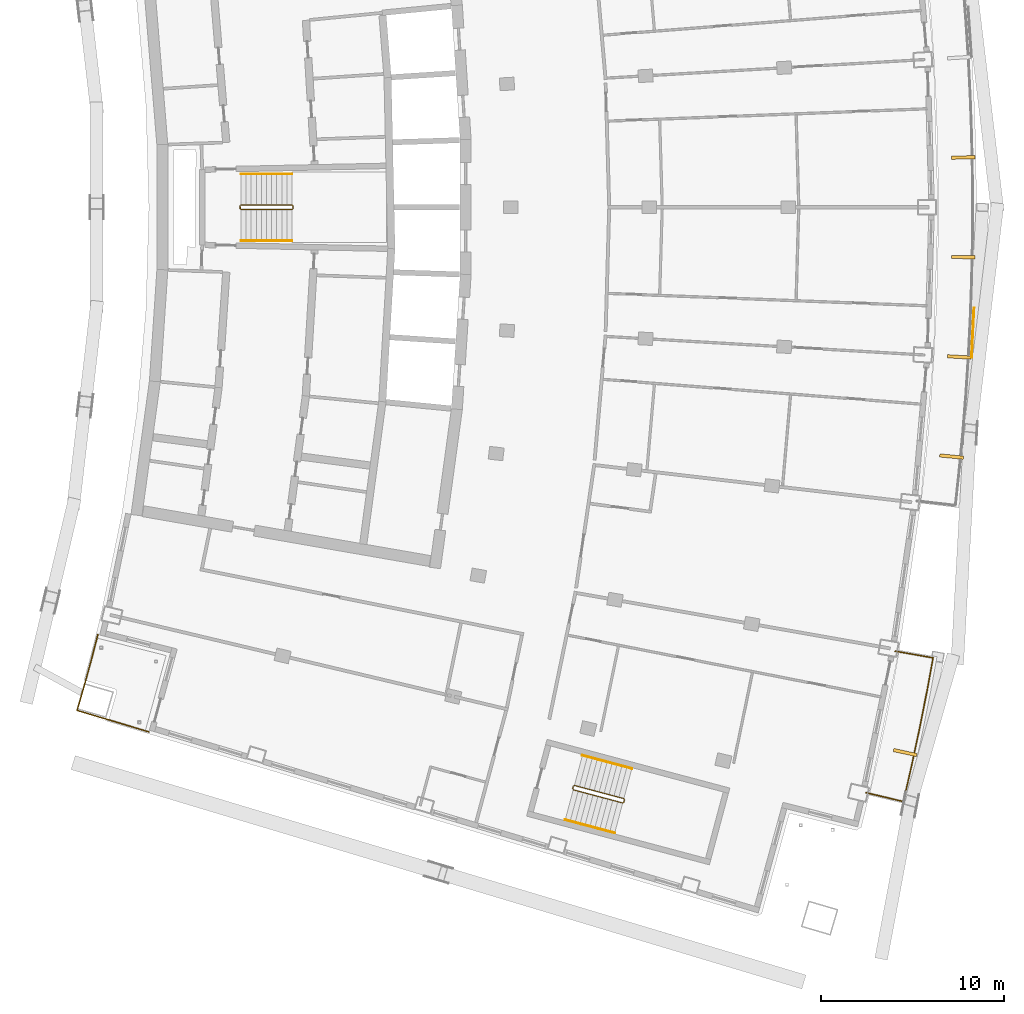
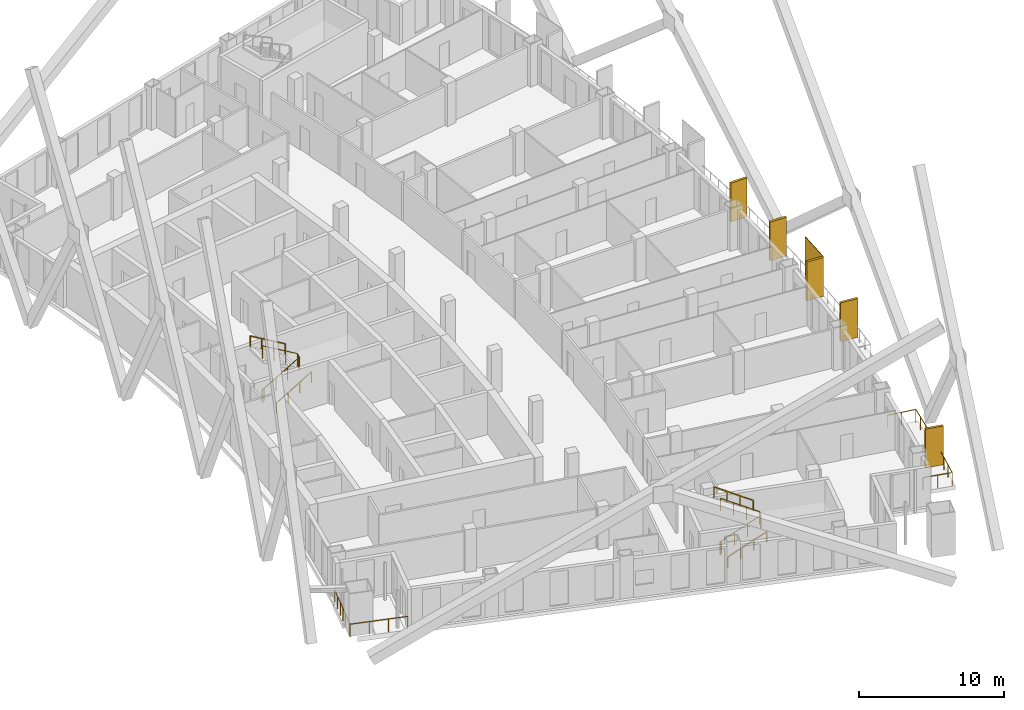
# One storey, part 18 of 20: 8 railings, 6 shading devices.
"""IFC4 building model written with IfcOpenShell, lengths in metres."""

from ifc_helpers import new_model, si_unit, direction, frame, origin, origin_with_axes, origin_2d, place, context, subcontext, project, spatial, rectangle, extrude, material, layer, layer_set, type_object, element, save


model = new_model("IFC4")

# Units and contexts
model_context = context("Model", 3, precision=1e-05, world=origin(), true_north=direction((0.0, 1.0)))
body_context = subcontext(model_context, "Body", "Model", "MODEL_VIEW")
ifc_project = project(units=[si_unit("LENGTHUNIT", "METRE"), si_unit("AREAUNIT", "SQUARE_METRE"), si_unit("VOLUMEUNIT", "CUBIC_METRE"), si_unit("PLANEANGLEUNIT", "RADIAN"), si_unit("MASSUNIT", "GRAM", prefix="KILO")], contexts=[model_context])

# Site, building, storey
site_placement = place(None, origin())
site = spatial("IfcSite", under=ifc_project, at=site_placement, CompositionType="ELEMENT")
building_placement = place(site_placement, origin())
building = spatial("IfcBuilding", under=site, at=building_placement, Name="Alderwake Tower", CompositionType="ELEMENT")
storey_placement = place(building_placement, frame((0.0, 0.0, 189.199951171875)))
storey = spatial("IfcBuildingStorey", under=building, at=storey_placement, Name="L46", CompositionType="ELEMENT", Elevation=189.199951171875)

# Railings
ifc_material_1 = material(Name="Stainless steel 316 rail and posts", Category="steel")
railing_type_1 = type_object("IfcRailingType", Name="Balcony guard 1100", PredefinedType="GUARDRAIL", material=ifc_material_1)
railing_1_placement = place(storey_placement, frame((55.256103515625, 28.9560546875, 0.0)))
element("IfcRailing", 1, at=railing_1_placement, inside=storey, type_object=railing_type_1, Name="Guard BF03", PredefinedType="GUARDRAIL", context=body_context, shape_type="SweptSolid", body=[
    extrude(rectangle(XDim=0.048095703125, YDim=0.048095703125, at=origin_2d()), frame((0.0, 0.0, 1.076171875), z_axis=(0.973057638874, -0.230561990427, 0.0), x_axis=(0.230561990427, 0.973057638874, 0.0)), (0.0, 0.0, 1.0), 2.099853515625),
    extrude(rectangle(XDim=0.048095703125, YDim=0.048095703125, at=origin_2d()), frame((2.043212890625, -0.484130859375, 1.076171875), z_axis=(0.223857490516, 0.974621887677, 0.0), x_axis=(-0.974621887677, 0.223857490516, 0.0)), (0.0, 0.0, 1.0), 1.95751953125),
    extrude(rectangle(XDim=0.048095703125, YDim=0.048095703125, at=origin_2d()), frame((2.4814453125, 1.423828125, 1.076171875), z_axis=(0.209877477425, 0.977727694437, 0.0), x_axis=(-0.977727694437, 0.209877477425, 0.0)), (0.0, 0.0, 1.0), 2.057861328125),
    extrude(rectangle(XDim=0.048095703125, YDim=0.048095703125, at=origin_2d()), frame((2.913330078125, 3.435791015625, 1.076171875), z_axis=(0.195659753975, 0.980671841481, 0.0), x_axis=(-0.980671841481, 0.195659753975, 0.0)), (0.0, 0.0, 1.0), 2.0576171875),
    extrude(rectangle(XDim=0.048095703125, YDim=0.048095703125, at=origin_2d()), frame((3.31591796875, 5.45361328125, 1.076171875), z_axis=(0.181562321204, 0.983379440256, 0.0), x_axis=(-0.983379440256, 0.181562321204, 0.0)), (0.0, 0.0, 1.0), 1.957763671875),
    extrude(rectangle(XDim=0.048095703125, YDim=0.048095703125, at=origin_2d()), frame((3.67138671875, 7.37890625, 1.076171875), z_axis=(-0.984614556243, 0.174740309131, 0.0), x_axis=(-0.174740309131, -0.984614556243, 0.0)), (0.0, 0.0, 1.0), 2.099853515625),
    extrude(rectangle(XDim=0.0419921875, YDim=0.0419921875, at=origin_2d()), frame((0.0, 0.0, 0.0), z_axis=(0.0, 0.0, 1.0), x_axis=(0.973057638874, -0.230561990427, 0.0)), (0.0, 0.0, 1.0), 1.052001953125),
    extrude(rectangle(XDim=0.0419921875, YDim=0.0419921875, at=origin_2d()), frame((1.021484375, -0.2421875, 0.0), z_axis=(0.0, 0.0, 1.0), x_axis=(0.973057638874, -0.230561990427, 0.0)), (0.0, 0.0, 1.0), 1.052001953125),
    extrude(rectangle(XDim=0.0419921875, YDim=0.0419921875, at=origin_2d()), frame((2.043212890625, -0.484130859375, 0.0), z_axis=(0.0, 0.0, 1.0), x_axis=(0.223857490516, 0.974621887677, 0.0)), (0.0, 0.0, 1.0), 1.052001953125),
    extrude(rectangle(XDim=0.0419921875, YDim=0.0419921875, at=origin_2d()), frame((2.26220703125, 0.4697265625, 0.0), z_axis=(0.0, 0.0, 1.0), x_axis=(0.223857490516, 0.974621887677, 0.0)), (0.0, 0.0, 1.0), 1.052001953125),
    extrude(rectangle(XDim=0.0419921875, YDim=0.0419921875, at=origin_2d()), frame((2.4814453125, 1.423828125, 0.0), z_axis=(0.0, 0.0, 1.0), x_axis=(0.209877477425, 0.977727694437, 0.0)), (0.0, 0.0, 1.0), 1.052001953125),
    extrude(rectangle(XDim=0.0419921875, YDim=0.0419921875, at=origin_2d()), frame((2.697265625, 2.4296875, 0.0), z_axis=(0.0, 0.0, 1.0), x_axis=(0.209877477425, 0.977727694437, 0.0)), (0.0, 0.0, 1.0), 1.052001953125),
    extrude(rectangle(XDim=0.0419921875, YDim=0.0419921875, at=origin_2d()), frame((2.913330078125, 3.435791015625, 0.0), z_axis=(0.0, 0.0, 1.0), x_axis=(0.195659753975, 0.980671841481, 0.0)), (0.0, 0.0, 1.0), 1.052001953125),
    extrude(rectangle(XDim=0.0419921875, YDim=0.0419921875, at=origin_2d()), frame((3.11474609375, 4.44482421875, 0.0), z_axis=(0.0, 0.0, 1.0), x_axis=(0.195659753975, 0.980671841481, 0.0)), (0.0, 0.0, 1.0), 1.052001953125),
    extrude(rectangle(XDim=0.0419921875, YDim=0.0419921875, at=origin_2d()), frame((3.31591796875, 5.45361328125, 0.0), z_axis=(0.0, 0.0, 1.0), x_axis=(0.181562321204, 0.983379440256, 0.0)), (0.0, 0.0, 1.0), 1.052001953125),
    extrude(rectangle(XDim=0.0419921875, YDim=0.0419921875, at=origin_2d()), frame((3.49365234375, 6.416259765625, 0.0), z_axis=(0.0, 0.0, 1.0), x_axis=(0.181562321204, 0.983379440256, 0.0)), (0.0, 0.0, 1.0), 1.052001953125),
    extrude(rectangle(XDim=0.0419921875, YDim=0.0419921875, at=origin_2d()), frame((3.67138671875, 7.37890625, 0.0), z_axis=(0.0, 0.0, 1.0), x_axis=(-0.984614556243, 0.174740309131, 0.0)), (0.0, 0.0, 1.0), 1.052001953125),
    extrude(rectangle(XDim=0.0419921875, YDim=0.0419921875, at=origin_2d()), frame((2.6376953125, 7.5625, 0.0), z_axis=(0.0, 0.0, 1.0), x_axis=(-0.984614556243, 0.174740309131, 0.0)), (0.0, 0.0, 1.0), 1.052001953125),
    extrude(rectangle(XDim=0.0419921875, YDim=0.0419921875, at=origin_2d()), frame((1.603759765625, 7.745849609375, 0.0), z_axis=(0.0, 0.0, 1.0), x_axis=(-0.984614556243, 0.174740309131, 0.0)), (0.0, 0.0, 1.0), 1.052001953125),
])
railing_2_placement = place(storey_placement, frame((13.210693359375, 37.612548828125, 0.0)))
element("IfcRailing", 2, at=railing_2_placement, inside=storey, type_object=railing_type_1, Name="Guard terrace RS", PredefinedType="GUARDRAIL", context=body_context, shape_type="SweptSolid", body=[
    extrude(rectangle(XDim=0.048095703125, YDim=0.048095703125, at=origin_2d()), frame((0.0, 0.0, 1.076171875), z_axis=(-0.251385381433, -0.967887075026, 0.0), x_axis=(0.967887075026, -0.251385381433, 0.0)), (0.0, 0.0, 1.0), 1.6015625),
    extrude(rectangle(XDim=0.048095703125, YDim=0.048095703125, at=origin_2d()), frame((-0.402587890625, -1.550048828125, 1.076171875), z_axis=(-0.266520638672, -0.963829211615, 0.0), x_axis=(0.963829211615, -0.266520638672, 0.0)), (0.0, 0.0, 1.0), 1.401611328125),
    extrude(rectangle(XDim=0.048095703125, YDim=0.048095703125, at=origin_2d()), frame((-0.776123046875, -2.90087890625, 1.076171875), z_axis=(-0.280093650878, -0.959972680204, 0.0), x_axis=(0.959972680204, -0.280093650878, 0.0)), (0.0, 0.0, 1.0), 1.30126953125),
    extrude(rectangle(XDim=0.048095703125, YDim=0.048095703125, at=origin_2d()), frame((-1.140625, -4.150146484375, 1.076171875), z_axis=(0.958066871889, -0.286544706789, 0.0), x_axis=(0.286544706789, 0.958066871889, 0.0)), (0.0, 0.0, 1.0), 4.099853515625),
    extrude(rectangle(XDim=0.0419921875, YDim=0.0419921875, at=origin_2d()), frame((0.0, 0.0, 0.0), z_axis=(0.0, 0.0, 1.0), x_axis=(-0.251385381433, -0.967887075026, 0.0)), (0.0, 0.0, 1.0), 1.052001953125),
    extrude(rectangle(XDim=0.0419921875, YDim=0.0419921875, at=origin_2d()), frame((-0.201171875, -0.77490234375, 0.0), z_axis=(0.0, 0.0, 1.0), x_axis=(-0.251385381433, -0.967887075026, 0.0)), (0.0, 0.0, 1.0), 1.052001953125),
    extrude(rectangle(XDim=0.0419921875, YDim=0.0419921875, at=origin_2d()), frame((-0.402587890625, -1.550048828125, 0.0), z_axis=(0.0, 0.0, 1.0), x_axis=(-0.266520638672, -0.963829211615, 0.0)), (0.0, 0.0, 1.0), 1.052001953125),
    extrude(rectangle(XDim=0.0419921875, YDim=0.0419921875, at=origin_2d()), frame((-0.58935546875, -2.2255859375, 0.0), z_axis=(0.0, 0.0, 1.0), x_axis=(-0.266520638672, -0.963829211615, 0.0)), (0.0, 0.0, 1.0), 1.052001953125),
    extrude(rectangle(XDim=0.0419921875, YDim=0.0419921875, at=origin_2d()), frame((-0.776123046875, -2.90087890625, 0.0), z_axis=(0.0, 0.0, 1.0), x_axis=(-0.280093650878, -0.959972680204, 0.0)), (0.0, 0.0, 1.0), 1.052001953125),
    extrude(rectangle(XDim=0.0419921875, YDim=0.0419921875, at=origin_2d()), frame((-1.140625, -4.150146484375, 0.0), z_axis=(0.0, 0.0, 1.0), x_axis=(0.958066871889, -0.286544706789, 0.0)), (0.0, 0.0, 1.0), 1.052001953125),
    extrude(rectangle(XDim=0.0419921875, YDim=0.0419921875, at=origin_2d()), frame((0.168701171875, -4.541748046875, 0.0), z_axis=(0.0, 0.0, 1.0), x_axis=(0.958066871889, -0.286544706789, 0.0)), (0.0, 0.0, 1.0), 1.052001953125),
    extrude(rectangle(XDim=0.0419921875, YDim=0.0419921875, at=origin_2d()), frame((1.47802734375, -4.933349609375, 0.0), z_axis=(0.0, 0.0, 1.0), x_axis=(0.958066871889, -0.286544706789, 0.0)), (0.0, 0.0, 1.0), 1.052001953125),
    extrude(rectangle(XDim=0.0419921875, YDim=0.0419921875, at=origin_2d()), frame((2.787353515625, -5.324951171875, 0.0), z_axis=(0.0, 0.0, 1.0), x_axis=(0.958066871889, -0.286544706789, 0.0)), (0.0, 0.0, 1.0), 1.052001953125),
])

# Shading devices
ifc_material_2 = material(Name="Bronze anodised aluminium", Category="aluminium")
ifc_layer_1 = layer(ifc_material_2, 0.179931640625)
ifc_layer_set_1 = layer_set([ifc_layer_1], Name="Facade fin 1300")
shading_device_type_1 = type_object("IfcShadingDeviceType", Name="Facade fin 1300", PredefinedType="USERDEFINED", material=ifc_layer_set_1)
for number, where, z_axis, x_axis, name in (
    (3, (57.395751953125, 31.154541015625, 0.0), (0.0, 0.0, 1.0), (0.977210363881, -0.212273184185, 0.0), "Fin"),
    (4, (59.936279296875, 47.355224609375, 0.0), (0.0, 0.0, 1.0), (0.995279882363, -0.097046152751, 0.0), "Fin"),
    (5, (60.361083984375, 52.8076171875, 0.0), (0.0, 0.0, 1.0), (0.998301080988, -0.058266214038, 0.0), "Fin"),
    (6, (60.573486328125, 58.2724609375, 0.0), (0.0, 0.0, 1.0), (0.999811838809, -0.019398117887, 0.0), "Fin"),
    (7, (60.573486328125, 63.7275390625, 0.0), (0.0, 0.0, 1.0), (0.999811838809, 0.019398117887, 0.0), "Fin"),
):
    element("IfcShadingDevice", number, at=place(storey_placement, frame(where, z_axis=z_axis, x_axis=x_axis)), inside=storey, type_object=shading_device_type_1, Name=name, ObjectType="FIN", PredefinedType="USERDEFINED", context=body_context, shape_type="SweptSolid", body=[
        extrude(rectangle(XDim=1.300048828125, YDim=0.179931640625, at=origin_2d()), origin(), (0.0, 0.0, 1.0), 3.280029296875),
    ])
ifc_material_3 = material(Name="Perforated bronze anodised aluminium", Category="aluminium")
ifc_layer_2 = layer(ifc_material_3, 0.050048828125)
ifc_layer_set_2 = layer_set([ifc_layer_2], Name="Perforated screen panel")
shading_device_type_2 = type_object("IfcShadingDeviceType", Name="Perforated screen panel", PredefinedType="USERDEFINED", material=ifc_layer_set_2)
shading_device_placement = place(storey_placement, frame((61.1015625, 54.13720703125, 0.0), z_axis=(0.0, 0.0, 1.0), x_axis=(0.998819231138, -0.048581308217, 0.0)))
element("IfcShadingDevice", 8, at=shading_device_placement, inside=storey, type_object=shading_device_type_2, Name="Screen panel", ObjectType="SCREEN", PredefinedType="USERDEFINED", context=body_context, shape_type="SweptSolid", body=[
    extrude(rectangle(XDim=0.050048828125, YDim=2.74072265625, at=origin_2d()), origin(), (0.0, 0.0, 1.0), 3.280029296875),
])

# Railings
ifc_material_4 = material(Name="Stainless steel guard", Category="steel")
railing_type_2 = type_object("IfcRailingType", Name="Stair guard 1100", PredefinedType="GUARDRAIL", material=ifc_material_4)
railing_3_placement = place(storey_placement, frame((20.989990234375, 60.925048828125, 0.0)))
element("IfcRailing", 9, at=railing_3_placement, inside=storey, type_object=railing_type_2, Name="L46 ST-B stair guard 1", PredefinedType="GUARDRAIL", context=body_context, shape_type="SweptSolid", body=[
    extrude(rectangle(XDim=0.048095703125, YDim=0.048095703125, at=origin_2d()), frame((0.0, 0.0, 1.076171875), z_axis=(0.0, 1.0, 0.0), x_axis=(-1.0, 0.0, 0.0)), (0.0, 0.0, 1.0), 0.14990234375),
    extrude(rectangle(XDim=0.048095703125, YDim=0.048095703125, at=origin_2d()), frame((0.0, 0.14990234375, 1.076171875), z_axis=(0.190199549216, -0.759870394187, 0.621627795), x_axis=(0.970072785993, 0.242814311512, 0.0)), (0.0, 0.0, 1.0), 0.26318359375),
    extrude(rectangle(XDim=0.048095703125, YDim=0.048095703125, at=origin_2d()), frame((0.050048828125, -0.050048828125, 1.23974609375), z_axis=(0.863360870873, 0.0, 0.504586966384), x_axis=(0.0, 1.0, 0.0)), (0.0, 0.0, 1.0), 3.2431640625),
    extrude(rectangle(XDim=0.048095703125, YDim=0.048095703125, at=origin_2d()), frame((2.85009765625, -0.050048828125, 2.8759765625), z_axis=(0.705375805398, 0.708833529934, 0.0), x_axis=(-0.708833529934, 0.705375805398, 0.0)), (0.0, 0.0, 1.0), 0.070556640625),
    extrude(rectangle(XDim=0.048095703125, YDim=0.048095703125, at=origin_2d()), frame((2.89990234375, 0.0, 2.8759765625), z_axis=(0.0, 1.0, 0.0), x_axis=(-1.0, 0.0, 0.0)), (0.0, 0.0, 1.0), 0.14990234375),
    extrude(rectangle(XDim=0.048095703125, YDim=0.048095703125, at=origin_2d()), frame((2.89990234375, 0.14990234375, 2.8759765625), z_axis=(-0.279546231943, 0.280916556609, 0.91811752648), x_axis=(-0.708833529934, -0.705375805398, 0.0)), (0.0, 0.0, 1.0), 0.17822265625),
    extrude(rectangle(XDim=0.048095703125, YDim=0.048095703125, at=origin_2d()), frame((2.85009765625, 0.199951171875, 3.03955078125), z_axis=(-0.863360870873, 0.0, 0.504586966384), x_axis=(0.0, -1.0, 0.0)), (0.0, 0.0, 1.0), 3.2431640625),
    extrude(rectangle(XDim=0.0419921875, YDim=0.0419921875, at=origin_2d()), frame((0.0, 0.0, 0.0), z_axis=(0.0, 0.0, 1.0), x_axis=(0.0, 1.0, 0.0)), (0.0, 0.0, 1.0), 1.052001953125),
    extrude(rectangle(XDim=0.0419921875, YDim=0.0419921875, at=origin_2d()), frame((0.0, 0.14990234375, 0.0), z_axis=(0.0, 0.0, 1.0), x_axis=(0.242814311512, -0.970072785993, 0.0)), (0.0, 0.0, 1.0), 1.052001953125),
    extrude(rectangle(XDim=0.0419921875, YDim=0.0419921875, at=origin_2d()), frame((0.050048828125, -0.050048828125, 0.16357421875), z_axis=(0.0, 0.0, 1.0), x_axis=(1.0, 0.0, 0.0)), (0.0, 0.0, 1.0), 1.052001953125),
    extrude(rectangle(XDim=0.0419921875, YDim=0.0419921875, at=origin_2d()), frame((0.9833984375, -0.050048828125, 0.708984375), z_axis=(0.0, 0.0, 1.0), x_axis=(1.0, 0.0, 0.0)), (0.0, 0.0, 1.0), 1.052001953125),
    extrude(rectangle(XDim=0.0419921875, YDim=0.0419921875, at=origin_2d()), frame((1.916748046875, -0.050048828125, 1.254638671875), z_axis=(0.0, 0.0, 1.0), x_axis=(1.0, 0.0, 0.0)), (0.0, 0.0, 1.0), 1.052001953125),
    extrude(rectangle(XDim=0.0419921875, YDim=0.0419921875, at=origin_2d()), frame((2.85009765625, -0.050048828125, 1.800048828125), z_axis=(0.0, 0.0, 1.0), x_axis=(0.705375805398, 0.708833529934, 0.0)), (0.0, 0.0, 1.0), 1.052001953125),
    extrude(rectangle(XDim=0.0419921875, YDim=0.0419921875, at=origin_2d()), frame((2.89990234375, 0.0, 1.800048828125), z_axis=(0.0, 0.0, 1.0), x_axis=(0.0, 1.0, 0.0)), (0.0, 0.0, 1.0), 1.052001953125),
    extrude(rectangle(XDim=0.0419921875, YDim=0.0419921875, at=origin_2d()), frame((2.89990234375, 0.14990234375, 1.800048828125), z_axis=(0.0, 0.0, 1.0), x_axis=(-0.705375805398, 0.708833529934, 0.0)), (0.0, 0.0, 1.0), 1.052001953125),
    extrude(rectangle(XDim=0.0419921875, YDim=0.0419921875, at=origin_2d()), frame((2.85009765625, 0.199951171875, 1.963623046875), z_axis=(0.0, 0.0, 1.0), x_axis=(-1.0, 0.0, 0.0)), (0.0, 0.0, 1.0), 1.052001953125),
    extrude(rectangle(XDim=0.0419921875, YDim=0.0419921875, at=origin_2d()), frame((1.916748046875, 0.199951171875, 2.509033203125), z_axis=(0.0, 0.0, 1.0), x_axis=(-1.0, 0.0, 0.0)), (0.0, 0.0, 1.0), 1.052001953125),
    extrude(rectangle(XDim=0.0419921875, YDim=0.0419921875, at=origin_2d()), frame((0.9833984375, 0.199951171875, 3.0546875), z_axis=(0.0, 0.0, 1.0), x_axis=(-1.0, 0.0, 0.0)), (0.0, 0.0, 1.0), 1.052001953125),
    extrude(rectangle(XDim=0.0419921875, YDim=0.0419921875, at=origin_2d()), frame((0.050048828125, 0.199951171875, 3.60009765625), z_axis=(0.0, 0.0, 1.0), x_axis=(-1.0, 0.0, 0.0)), (0.0, 0.0, 1.0), 1.052001953125),
])
railing_4_placement = place(storey_placement, frame((39.1943359375, 29.17431640625, 0.0)))
element("IfcRailing", 10, at=railing_4_placement, inside=storey, type_object=railing_type_2, Name="L46 ST-C stair guard 1", PredefinedType="GUARDRAIL", context=body_context, shape_type="SweptSolid", body=[
    extrude(rectangle(XDim=0.048095703125, YDim=0.048095703125, at=origin_2d()), frame((0.0, 0.0, 1.076171875), z_axis=(0.257459803502, 0.966289009345, 0.0), x_axis=(-0.966289009345, 0.257459803502, 0.0)), (0.0, 0.0, 1.0), 0.14990234375),
    extrude(rectangle(XDim=0.048095703125, YDim=0.048095703125, at=origin_2d()), frame((0.03857421875, 0.144775390625, 1.076171875), z_axis=(-0.012062893862, -0.783160186125, 0.621702991355), x_axis=(0.999881397308, -0.015401016783, 0.0)), (0.0, 0.0, 1.0), 0.26318359375),
    extrude(rectangle(XDim=0.048095703125, YDim=0.048095703125, at=origin_2d()), frame((0.035400390625, -0.061279296875, 1.23974609375), z_axis=(0.834281824786, -0.222214197128, 0.504573768072), x_axis=(0.257380452725, 0.966310148221, 0.0)), (0.0, 0.0, 1.0), 3.2431640625),
    extrude(rectangle(XDim=0.048095703125, YDim=0.048095703125, at=origin_2d()), frame((2.7412109375, -0.781982421875, 2.8759765625), z_axis=(0.865031189262, 0.501718089772, 0.0), x_axis=(-0.501718089772, 0.865031189262, 0.0)), (0.0, 0.0, 1.0), 0.070556640625),
    extrude(rectangle(XDim=0.048095703125, YDim=0.048095703125, at=origin_2d()), frame((2.80224609375, -0.74658203125, 2.8759765625), z_axis=(0.257055032184, 0.966396766566, 0.0), x_axis=(-0.966396766566, 0.257055032184, 0.0)), (0.0, 0.0, 1.0), 0.150146484375),
    extrude(rectangle(XDim=0.048095703125, YDim=0.048095703125, at=origin_2d()), frame((2.8408203125, -0.6015625, 2.8759765625), z_axis=(-0.198625291617, 0.343827228937, 0.91778583023), x_axis=(-0.865898279276, -0.500220121494, 0.0)), (0.0, 0.0, 1.0), 0.17822265625),
    extrude(rectangle(XDim=0.048095703125, YDim=0.048095703125, at=origin_2d()), frame((2.805419921875, -0.540283203125, 3.03955078125), z_axis=(-0.834258940753, 0.22222815314, 0.504605457487), x_axis=(-0.257402139082, -0.966304371715, 0.0)), (0.0, 0.0, 1.0), 3.2431640625),
    extrude(rectangle(XDim=0.0419921875, YDim=0.0419921875, at=origin_2d()), frame((0.0, 0.0, 0.0), z_axis=(0.0, 0.0, 1.0), x_axis=(0.257459803502, 0.966289009345, 0.0)), (0.0, 0.0, 1.0), 1.052001953125),
    extrude(rectangle(XDim=0.0419921875, YDim=0.0419921875, at=origin_2d()), frame((0.03857421875, 0.144775390625, 0.0), z_axis=(0.0, 0.0, 1.0), x_axis=(-0.015401016783, -0.999881397308, 0.0)), (0.0, 0.0, 1.0), 1.052001953125),
    extrude(rectangle(XDim=0.0419921875, YDim=0.0419921875, at=origin_2d()), frame((0.035400390625, -0.061279296875, 0.16357421875), z_axis=(0.0, 0.0, 1.0), x_axis=(0.966310148221, -0.257380452725, 0.0)), (0.0, 0.0, 1.0), 1.052001953125),
    extrude(rectangle(XDim=0.0419921875, YDim=0.0419921875, at=origin_2d()), frame((0.937255859375, -0.301513671875, 0.708984375), z_axis=(0.0, 0.0, 1.0), x_axis=(0.966310148221, -0.257380452725, 0.0)), (0.0, 0.0, 1.0), 1.052001953125),
    extrude(rectangle(XDim=0.0419921875, YDim=0.0419921875, at=origin_2d()), frame((1.83935546875, -0.541748046875, 1.254638671875), z_axis=(0.0, 0.0, 1.0), x_axis=(0.966310148221, -0.257380452725, 0.0)), (0.0, 0.0, 1.0), 1.052001953125),
    extrude(rectangle(XDim=0.0419921875, YDim=0.0419921875, at=origin_2d()), frame((2.7412109375, -0.781982421875, 1.800048828125), z_axis=(0.0, 0.0, 1.0), x_axis=(0.865031189262, 0.501718089772, 0.0)), (0.0, 0.0, 1.0), 1.052001953125),
    extrude(rectangle(XDim=0.0419921875, YDim=0.0419921875, at=origin_2d()), frame((2.80224609375, -0.74658203125, 1.800048828125), z_axis=(0.0, 0.0, 1.0), x_axis=(0.257055032184, 0.966396766566, 0.0)), (0.0, 0.0, 1.0), 1.052001953125),
    extrude(rectangle(XDim=0.0419921875, YDim=0.0419921875, at=origin_2d()), frame((2.8408203125, -0.6015625, 1.800048828125), z_axis=(0.0, 0.0, 1.0), x_axis=(-0.500220121494, 0.865898279276, 0.0)), (0.0, 0.0, 1.0), 1.052001953125),
    extrude(rectangle(XDim=0.0419921875, YDim=0.0419921875, at=origin_2d()), frame((2.805419921875, -0.540283203125, 1.963623046875), z_axis=(0.0, 0.0, 1.0), x_axis=(-0.966304371715, 0.257402139082, 0.0)), (0.0, 0.0, 1.0), 1.052001953125),
    extrude(rectangle(XDim=0.0419921875, YDim=0.0419921875, at=origin_2d()), frame((1.903564453125, -0.300048828125, 2.509033203125), z_axis=(0.0, 0.0, 1.0), x_axis=(-0.966304371715, 0.257402139082, 0.0)), (0.0, 0.0, 1.0), 1.052001953125),
    extrude(rectangle(XDim=0.0419921875, YDim=0.0419921875, at=origin_2d()), frame((1.001708984375, -0.059814453125, 3.0546875), z_axis=(0.0, 0.0, 1.0), x_axis=(-0.966304371715, 0.257402139082, 0.0)), (0.0, 0.0, 1.0), 1.052001953125),
    extrude(rectangle(XDim=0.0419921875, YDim=0.0419921875, at=origin_2d()), frame((0.099853515625, 0.180419921875, 3.60009765625), z_axis=(0.0, 0.0, 1.0), x_axis=(-0.966304371715, 0.257402139082, 0.0)), (0.0, 0.0, 1.0), 1.052001953125),
])
ifc_material_5 = material(Name="Stainless steel handrail", Category="steel")
railing_type_3 = type_object("IfcRailingType", Name="Stair handrail 900", PredefinedType="HANDRAIL", material=ifc_material_5)
railing_5_placement = place(storey_placement, frame((21.0400390625, 59.175048828125, 0.16357421875)))
element("IfcRailing", 11, at=railing_5_placement, inside=storey, type_object=railing_type_3, Name="L46 ST-B stair handrail 1", PredefinedType="HANDRAIL", context=body_context, shape_type="SweptSolid", body=[
    extrude(rectangle(XDim=0.048095703125, YDim=0.048095703125, at=origin_2d()), frame((0.0, 0.0, 0.8759765625), z_axis=(0.863360870873, 0.0, 0.504586966384), x_axis=(0.0, 1.0, 0.0)), (0.0, 0.0, 1.0), 3.2431640625),
    extrude(rectangle(XDim=0.0419921875, YDim=0.0419921875, at=origin_2d()), origin_with_axes(), (0.0, 0.0, 1.0), 0.851806640625),
    extrude(rectangle(XDim=0.0419921875, YDim=0.0419921875, at=origin_2d()), frame((0.933349609375, 0.0, 0.54541015625), z_axis=(0.0, 0.0, 1.0), x_axis=(1.0, 0.0, 0.0)), (0.0, 0.0, 1.0), 0.851806640625),
    extrude(rectangle(XDim=0.0419921875, YDim=0.0419921875, at=origin_2d()), frame((1.86669921875, 0.0, 1.091064453125), z_axis=(0.0, 0.0, 1.0), x_axis=(1.0, 0.0, 0.0)), (0.0, 0.0, 1.0), 0.851806640625),
    extrude(rectangle(XDim=0.0419921875, YDim=0.0419921875, at=origin_2d()), frame((2.800048828125, 0.0, 1.636474609375), z_axis=(0.0, 0.0, 1.0), x_axis=(1.0, 0.0, 0.0)), (0.0, 0.0, 1.0), 0.851806640625),
])
railing_6_placement = place(storey_placement, frame((23.840087890625, 62.824951171875, 1.963623046875)))
element("IfcRailing", 12, at=railing_6_placement, inside=storey, type_object=railing_type_3, Name="L46 ST-B stair handrail 2", PredefinedType="HANDRAIL", context=body_context, shape_type="SweptSolid", body=[
    extrude(rectangle(XDim=0.048095703125, YDim=0.048095703125, at=origin_2d()), frame((0.0, 0.0, 0.8759765625), z_axis=(-0.863360870873, 0.0, 0.504586966384), x_axis=(0.0, -1.0, 0.0)), (0.0, 0.0, 1.0), 3.2431640625),
    extrude(rectangle(XDim=0.0419921875, YDim=0.0419921875, at=origin_2d()), frame((0.0, 0.0, 0.0), z_axis=(0.0, 0.0, 1.0), x_axis=(-1.0, 0.0, 0.0)), (0.0, 0.0, 1.0), 0.851806640625),
    extrude(rectangle(XDim=0.0419921875, YDim=0.0419921875, at=origin_2d()), frame((-0.933349609375, 0.0, 0.54541015625), z_axis=(0.0, 0.0, 1.0), x_axis=(-1.0, 0.0, 0.0)), (0.0, 0.0, 1.0), 0.851806640625),
    extrude(rectangle(XDim=0.0419921875, YDim=0.0419921875, at=origin_2d()), frame((-1.86669921875, 0.0, 1.091064453125), z_axis=(0.0, 0.0, 1.0), x_axis=(-1.0, 0.0, 0.0)), (0.0, 0.0, 1.0), 0.851806640625),
    extrude(rectangle(XDim=0.0419921875, YDim=0.0419921875, at=origin_2d()), frame((-2.800048828125, 0.0, 1.636474609375), z_axis=(0.0, 0.0, 1.0), x_axis=(-1.0, 0.0, 0.0)), (0.0, 0.0, 1.0), 0.851806640625),
])
railing_7_placement = place(storey_placement, frame((38.792236328125, 27.47021484375, 0.16357421875)))
element("IfcRailing", 13, at=railing_7_placement, inside=storey, type_object=railing_type_3, Name="L46 ST-C stair handrail 1", PredefinedType="HANDRAIL", context=body_context, shape_type="SweptSolid", body=[
    extrude(rectangle(XDim=0.048095703125, YDim=0.048095703125, at=origin_2d()), frame((0.0, 0.0, 0.8759765625), z_axis=(0.834272895437, -0.222156588561, 0.504613898043), x_axis=(0.25732071773, 0.966326056891, 0.0)), (0.0, 0.0, 1.0), 3.242919921875),
    extrude(rectangle(XDim=0.0419921875, YDim=0.0419921875, at=origin_2d()), frame((0.0, 0.0, 0.0), z_axis=(0.0, 0.0, 1.0), x_axis=(0.966326056891, -0.25732071773, 0.0)), (0.0, 0.0, 1.0), 0.851806640625),
    extrude(rectangle(XDim=0.0419921875, YDim=0.0419921875, at=origin_2d()), frame((0.90185546875, -0.240234375, 0.54541015625), z_axis=(0.0, 0.0, 1.0), x_axis=(0.966326056891, -0.25732071773, 0.0)), (0.0, 0.0, 1.0), 0.851806640625),
    extrude(rectangle(XDim=0.0419921875, YDim=0.0419921875, at=origin_2d()), frame((1.8037109375, -0.480224609375, 1.091064453125), z_axis=(0.0, 0.0, 1.0), x_axis=(0.966326056891, -0.25732071773, 0.0)), (0.0, 0.0, 1.0), 0.851806640625),
    extrude(rectangle(XDim=0.0419921875, YDim=0.0419921875, at=origin_2d()), frame((2.70556640625, -0.720458984375, 1.636474609375), z_axis=(0.0, 0.0, 1.0), x_axis=(0.966326056891, -0.25732071773, 0.0)), (0.0, 0.0, 1.0), 0.851806640625),
])
railing_8_placement = place(storey_placement, frame((42.437255859375, 30.276611328125, 1.963623046875)))
element("IfcRailing", 14, at=railing_8_placement, inside=storey, type_object=railing_type_3, Name="L46 ST-C stair handrail 2", PredefinedType="HANDRAIL", context=body_context, shape_type="SweptSolid", body=[
    extrude(rectangle(XDim=0.048095703125, YDim=0.048095703125, at=origin_2d()), frame((0.0, 0.0, 0.8759765625), z_axis=(-0.834258940753, 0.22222815314, 0.504605457487), x_axis=(-0.257402139082, -0.966304371715, 0.0)), (0.0, 0.0, 1.0), 3.2431640625),
    extrude(rectangle(XDim=0.0419921875, YDim=0.0419921875, at=origin_2d()), frame((0.0, 0.0, 0.0), z_axis=(0.0, 0.0, 1.0), x_axis=(-0.966304371715, 0.257402139082, 0.0)), (0.0, 0.0, 1.0), 0.851806640625),
    extrude(rectangle(XDim=0.0419921875, YDim=0.0419921875, at=origin_2d()), frame((-0.90185546875, 0.240234375, 0.54541015625), z_axis=(0.0, 0.0, 1.0), x_axis=(-0.966304371715, 0.257402139082, 0.0)), (0.0, 0.0, 1.0), 0.851806640625),
    extrude(rectangle(XDim=0.0419921875, YDim=0.0419921875, at=origin_2d()), frame((-1.8037109375, 0.48046875, 1.091064453125), z_axis=(0.0, 0.0, 1.0), x_axis=(-0.966304371715, 0.257402139082, 0.0)), (0.0, 0.0, 1.0), 0.851806640625),
    extrude(rectangle(XDim=0.0419921875, YDim=0.0419921875, at=origin_2d()), frame((-2.70556640625, 0.720703125, 1.636474609375), z_axis=(0.0, 0.0, 1.0), x_axis=(-0.966304371715, 0.257402139082, 0.0)), (0.0, 0.0, 1.0), 0.851806640625),
])

save(model, "model.ifc")
